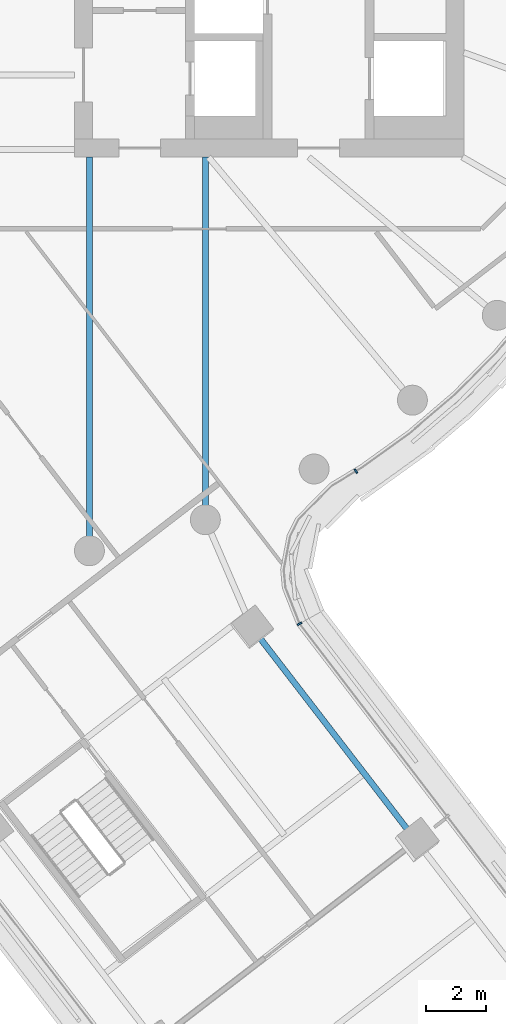
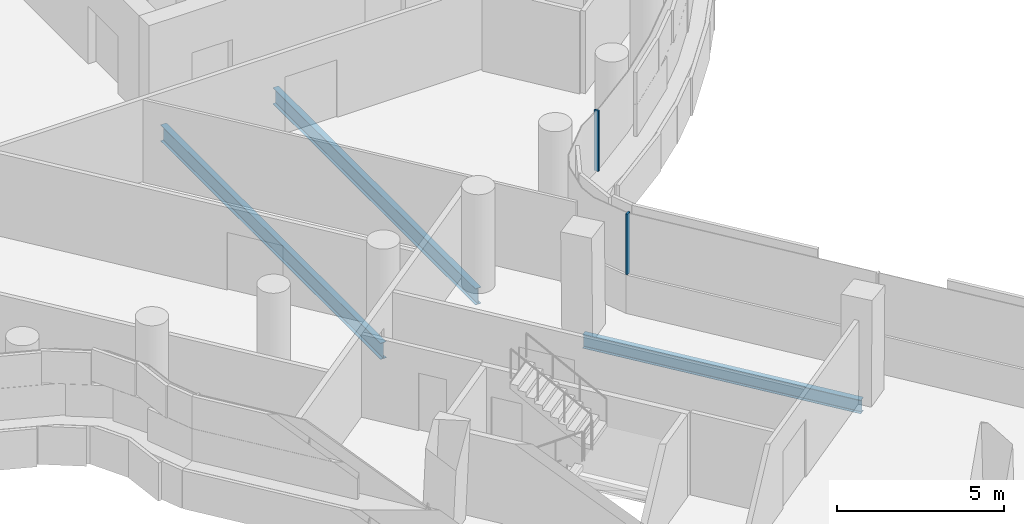
# One storey, part 7 of 33: 3 beams, 2 members, 1 element without a shape of its own.
"""IFC4 building model written with IfcOpenShell, lengths in metres."""

import ifcopenshell
import ifcopenshell.guid

model = None  # the IFC model being written
_history = None  # IfcOwnerHistory: only IFC2X3 demands one
_inside = {}  # id of a spatial element -> (the spatial element, [elements in it])
_under = {}  # id of a project, library or spatial element -> (it, [spatial elements below it])
_declared = {}  # id of a project -> (the project, [libraries it declares])
_typed = {}  # id of a type object -> (the type object, [elements of that type])
_made_of = {}  # id of a material, layer set ... -> (it, [elements and type objects made of it])


def new_model(schema):
    """Start an empty IFC model of exactly this schema.

    Asked for "IFC4X3", IfcOpenShell would pick the latest addendum, in which some entities
    have other attributes; the version numbers below select the first issue.
    IFC2X3 requires an IfcOwnerHistory on every rooted entity: one is made here for all.
    """
    global model, _history
    if schema == "IFC4X3":
        model = ifcopenshell.file(schema_version=(4, 3, 0, 0))
    else:
        model = ifcopenshell.file(schema=schema)
    _inside.clear()
    _under.clear()
    _declared.clear()
    _typed.clear()
    _made_of.clear()
    _history = None
    if model.schema == "IFC2X3":
        org = make("IfcOrganization", Name="unknown")
        user = make(
            "IfcPersonAndOrganization",
            ThePerson=make("IfcPerson", FamilyName="unknown"),
            TheOrganization=org,
        )
        app = make(
            "IfcApplication",
            ApplicationDeveloper=org,
            Version="unknown",
            ApplicationFullName="unknown",
            ApplicationIdentifier="unknown",
        )
        _history = make(
            "IfcOwnerHistory",
            OwningUser=user,
            OwningApplication=app,
            ChangeAction="ADDED",
            CreationDate=0,
        )
    return model


def make(cls, **values):
    """One entity of the class cls with the attributes given. An attribute that is None is left unset."""
    return model.create_entity(
        cls, **{name: value for name, value in values.items() if value is not None}
    )


def rooted(cls, **values):
    """An entity with a GlobalId (a new one), such as an element, a storey or a relation."""
    return make(cls, GlobalId=ifcopenshell.guid.new(), OwnerHistory=_history, **values)


def si_unit(unit_type, name, prefix=None):
    """IfcSIUnit, for example si_unit("LENGTHUNIT", "METRE", prefix="MILLI")."""
    return make("IfcSIUnit", UnitType=unit_type, Prefix=prefix, Name=name)


def assignment(units):
    """IfcUnitAssignment: the units of a project."""
    return None if units is None else make("IfcUnitAssignment", Units=units)


def point(xyz):
    """IfcCartesianPoint."""
    return None if xyz is None else make("IfcCartesianPoint", Coordinates=xyz)


def direction(xyz):
    """IfcDirection."""
    return None if xyz is None else make("IfcDirection", DirectionRatios=xyz)


def frame(location, z_axis=None, x_axis=None):
    """IfcAxis2Placement3D, a coordinate frame: its origin and axes. An axis left out is left unset."""
    return make(
        "IfcAxis2Placement3D",
        Location=point(location),
        Axis=direction(z_axis),
        RefDirection=direction(x_axis),
    )


def frame_2d(location, x_axis=None):
    """IfcAxis2Placement2D, a coordinate frame in the plane: its origin and x axis."""
    return make(
        "IfcAxis2Placement2D", Location=point(location), RefDirection=direction(x_axis)
    )


def origin():
    """The frame at (0, 0, 0) with its axes left unset."""
    return frame((0.0, 0.0, 0.0))


def origin_2d():
    """The frame at (0, 0) in the plane with its x axis left unset."""
    return frame_2d((0.0, 0.0))


def place(relative_to, where):
    """IfcLocalPlacement: puts the frame where relative to a parent placement (None: the world)."""
    return make(
        "IfcLocalPlacement", PlacementRelTo=relative_to, RelativePlacement=where
    )


def context(
    kind, dimensions, precision=None, world=None, true_north=None, identifier=None
):
    """IfcGeometricRepresentationContext, for example the 3D "Model" context."""
    return make(
        "IfcGeometricRepresentationContext",
        ContextIdentifier=identifier,
        ContextType=kind,
        CoordinateSpaceDimension=dimensions,
        Precision=precision,
        WorldCoordinateSystem=world,
        TrueNorth=true_north,
    )


def subcontext(parent, identifier, kind, view, scale=None):
    """IfcGeometricRepresentationSubContext, for example "Body" below "Model"."""
    return make(
        "IfcGeometricRepresentationSubContext",
        ContextIdentifier=identifier,
        ContextType=kind,
        ParentContext=parent,
        TargetScale=scale,
        TargetView=view,
    )


def project(units=None, contexts=None):
    """IfcProject with its units and contexts."""
    return rooted(
        "IfcProject",
        Name="project",
        RepresentationContexts=contexts,
        UnitsInContext=assignment(units),
    )


def spatial(cls, under=None, at=None, **own):
    """A site, building, storey or space (cls), placed at a placement, below another one or the project."""
    s = rooted(cls, ObjectPlacement=at, **own)
    if under is not None:
        _under.setdefault(under.id(), (under, []))[1].append(s)
    return s


def profile(cls, at=None, kind="AREA", **sizes):
    """A parametric profile (cls). Its sizes go by their IFC names, for example OverallWidth=200.0."""
    return make(cls, ProfileType=kind, Position=at, **sizes)


def rectangle(**sizes):
    """IfcRectangleProfileDef."""
    return profile("IfcRectangleProfileDef", **sizes)


def i_section(**sizes):
    """IfcIShapeProfileDef."""
    return profile("IfcIShapeProfileDef", **sizes)


def extrude(swept, where, along, depth):
    """IfcExtrudedAreaSolid: the profile swept, set in the frame where, extruded along a direction by depth."""
    return make(
        "IfcExtrudedAreaSolid",
        SweptArea=swept,
        Position=where,
        ExtrudedDirection=direction(along),
        Depth=depth,
    )


def shape(context_of_items, identifier, shape_type, items):
    """IfcShapeRepresentation: the items that make up one representation, for example the "Body"."""
    return make(
        "IfcShapeRepresentation",
        ContextOfItems=context_of_items,
        RepresentationIdentifier=identifier,
        RepresentationType=shape_type,
        Items=items,
    )


def material(Name=None, Category=None):
    """IfcMaterial."""
    return make("IfcMaterial", Name=Name, Category=Category)


def layer(
    of_material, thickness, ventilated=None, Name=None, Category=None, Priority=None
):
    """IfcMaterialLayer: one layer of a wall or slab, of a material (None: an air gap)."""
    return make(
        "IfcMaterialLayer",
        Material=of_material,
        LayerThickness=thickness,
        IsVentilated=ventilated,
        Name=Name,
        Category=Category,
        Priority=Priority,
    )


def layer_set(layers, Name=None):
    """IfcMaterialLayerSet."""
    return make("IfcMaterialLayerSet", MaterialLayers=layers, LayerSetName=Name)


def material_profile(
    of_material, cross_section, Name=None, Category=None, Priority=None
):
    """IfcMaterialProfile: a cross section and its material."""
    return make(
        "IfcMaterialProfile",
        Name=Name,
        Material=of_material,
        Profile=cross_section,
        Priority=Priority,
        Category=Category,
    )


def profile_set(profiles, Name=None, composite=None):
    """IfcMaterialProfileSet."""
    return make(
        "IfcMaterialProfileSet",
        Name=Name,
        MaterialProfiles=profiles,
        CompositeProfile=composite,
    )


def made_of(thing, what):
    """Note that an element or type object is made of a material, layer set ...; save() writes the relation."""
    if what is not None:
        _made_of.setdefault(what.id(), (what, []))[1].append(thing)
    return thing


def type_object(cls, material=None, **own):
    """A type object (cls), such as IfcWallType, which elements share."""
    return made_of(rooted(cls, **own), material)


def element(
    cls,
    number,
    at=None,
    inside=None,
    cuts=None,
    type_object=None,
    material=None,
    context=None,
    identifier="Body",
    shape_type=None,
    held_by="IfcProductDefinitionShape",
    body=None,
    shapes=None,
    **own,
):
    """One element of the class cls, such as IfcWall. Its Tag is "e" and its number.

    at: its placement. inside: the storey or other place that contains it. cuts: it is an
    opening in that element (IfcRelVoidsElement). A single representation is given by context,
    identifier, shape_type and body (its items); several are given by shapes. held_by: the class
    of the entity that holds the representations. save() writes the other relations.
    """
    e = rooted(cls, Tag="e%d" % number, ObjectPlacement=at, **own)
    if body is not None:
        shapes = [shape(context, identifier, shape_type, body)]
    if shapes is not None:
        e.Representation = make(held_by, Representations=shapes)
    if inside is not None:
        _inside.setdefault(inside.id(), (inside, []))[1].append(e)
    if cuts is not None:
        rooted(
            "IfcRelVoidsElement", RelatingBuildingElement=cuts, RelatedOpeningElement=e
        )
    if type_object is not None:
        _typed.setdefault(type_object.id(), (type_object, []))[1].append(e)
    return made_of(e, material)


def aggregate(whole, parts):
    """IfcRelAggregates: a whole, such as a stair, and the parts it consists of."""
    return rooted("IfcRelAggregates", RelatingObject=whole, RelatedObjects=parts)


def save(model, path):
    """Write the relations noted so far, then the file.

    IfcRelAggregates (storeys below a building ...), IfcRelContainedInSpatialStructure (elements
    in a storey), IfcRelDefinesByType, IfcRelAssociatesMaterial and IfcRelDeclares: one each for
    every whole, place, type object, material and project.
    """
    for whole, parts in _under.values():
        aggregate(whole, parts)
    for where, things in _inside.values():
        rooted(
            "IfcRelContainedInSpatialStructure",
            RelatedElements=things,
            RelatingStructure=where,
        )
    for kind, things in _typed.values():
        rooted("IfcRelDefinesByType", RelatedObjects=things, RelatingType=kind)
    for what, things in _made_of.values():
        rooted("IfcRelAssociatesMaterial", RelatedObjects=things, RelatingMaterial=what)
    for by, libraries in _declared.values():
        rooted("IfcRelDeclares", RelatingContext=by, RelatedDefinitions=libraries)
    model.write(path)


model = new_model("IFC4")

# Units and contexts
model_context = context("Model", 3, precision=1e-05, world=origin(), true_north=direction((0.0, 1.0)))
body_context = subcontext(model_context, "Body", "Model", "MODEL_VIEW")
ifc_project = project(units=[si_unit("LENGTHUNIT", "METRE"), si_unit("AREAUNIT", "SQUARE_METRE"), si_unit("VOLUMEUNIT", "CUBIC_METRE"), si_unit("PLANEANGLEUNIT", "RADIAN"), si_unit("MASSUNIT", "GRAM", prefix="KILO")], contexts=[model_context])

# Site, building, storey
site_placement = place(None, origin())
site = spatial("IfcSite", under=ifc_project, at=site_placement, CompositionType="ELEMENT")
building_placement = place(site_placement, origin())
building = spatial("IfcBuilding", under=site, at=building_placement, Name="Tamarind Cross Interchange Tower", CompositionType="ELEMENT")
storey_placement = place(building_placement, frame((0.0, 0.0, 170.5)))
storey = spatial("IfcBuildingStorey", under=building, at=storey_placement, Name="L42", CompositionType="ELEMENT", Elevation=170.5)

# Beams
ifc_material_1 = material(Name="Steel Q355B", Category="steel")
ifc_material_profile_1 = material_profile(ifc_material_1, i_section(OverallWidth=0.198974609375, OverallDepth=0.49609375, WebThickness=0.009033203125, FlangeThickness=0.013916015625, FilletRadius=0.012939453125, at=origin_2d()), Name="HN 496x199x9x14")
ifc_profile_set_1 = profile_set([ifc_material_profile_1], Name="Steel Q355B")
beam_type_1 = type_object("IfcBeamType", Name="Composite beam HN 496x199x9x14 Q355B", PredefinedType="BEAM", material=ifc_profile_set_1)
beam_1_placement = place(storey_placement, frame((14.91552734375, -32.347412109375, -0.387939453125), z_axis=(-0.610322794486, 0.792152817662, 0.0), x_axis=(-0.792152817662, -0.610322794486, 0.0)))
element("IfcBeam", 1, at=beam_1_placement, inside=storey, type_object=beam_type_1, Name="Beam S-edgeep3", PredefinedType="BEAM", context=body_context, shape_type="SweptSolid", body=[
    extrude(i_section(OverallWidth=0.198974609375, OverallDepth=0.49609375, WebThickness=0.009033203125, FlangeThickness=0.013916015625, FilletRadius=0.012939453125, at=origin_2d()), origin(), (0.0, 0.0, 1.0), 9.0),
])
ifc_material_profile_2 = material_profile(ifc_material_1, i_section(OverallWidth=0.198974609375, OverallDepth=0.595947265625, WebThickness=0.010009765625, FlangeThickness=0.014892578125, FilletRadius=0.012939453125, at=origin_2d()), Name="HN 596x199x10x15")
ifc_profile_set_2 = profile_set([ifc_material_profile_2], Name="Steel Q355B")
beam_type_2 = type_object("IfcBeamType", Name="Composite beam HN 596x199x10x15 Q355B", PredefinedType="BEAM", material=ifc_profile_set_2)
beam_2_placement = place(storey_placement, frame((3.993896484375, -22.650634765625, -0.43798828125), z_axis=(0.0, 1.0, 0.0), x_axis=(-1.0, 0.0, 0.0)))
element("IfcBeam", 2, at=beam_2_placement, inside=storey, type_object=beam_type_2, Name="Beam HH28", PredefinedType="BEAM", context=body_context, shape_type="SweptSolid", body=[
    extrude(i_section(OverallWidth=0.198974609375, OverallDepth=0.595947265625, WebThickness=0.010009765625, FlangeThickness=0.014892578125, FilletRadius=0.012939453125, at=origin_2d()), origin(), (0.0, 0.0, 1.0), 13.150634765625),
])
beam_3_placement = place(storey_placement, frame((7.866455078125, -21.613037109375, -0.43798828125), z_axis=(0.0, 1.0, 0.0), x_axis=(-1.0, 0.0, 0.0)))
element("IfcBeam", 3, at=beam_3_placement, inside=storey, type_object=beam_type_2, Name="Beam HH29", PredefinedType="BEAM", context=body_context, shape_type="SweptSolid", body=[
    extrude(i_section(OverallWidth=0.198974609375, OverallDepth=0.595947265625, WebThickness=0.010009765625, FlangeThickness=0.014892578125, FilletRadius=0.012939453125, at=origin_2d()), origin(), (0.0, 0.0, 1.0), 12.113037109375),
])

# Curtain wall, members
ifc_material_2 = material(Name="Aluminium 6063-T6", Category="aluminium")
ifc_layer = layer(ifc_material_2, 0.159912109375)
ifc_layer_set = layer_set([ifc_layer], Name="Aluminium 6063-T6")
curtain_wall_type = type_object("IfcCurtainWallType", Name="Office curtain wall, 9.0 m bays", PredefinedType="NOTDEFINED", material=ifc_layer_set)
curtain_wall_placement = place(storey_placement, origin())
curtain_wall = element("IfcCurtainWall", 4, at=curtain_wall_placement, inside=storey, type_object=curtain_wall_type, Name="CWS-L42-14", PredefinedType="NOTDEFINED")
ifc_material_profile_3 = material_profile(ifc_material_2, rectangle(XDim=0.06005859375, YDim=0.159912109375, at=origin_2d()), Name="Mullion CW1")
ifc_profile_set_3 = profile_set([ifc_material_profile_3], Name="Aluminium 6063-T6")
member_type = type_object("IfcMemberType", Name="Mullion CW1", PredefinedType="MULLION", material=ifc_profile_set_3)
member_1_placement = place(storey_placement, frame((11.0146484375, -25.090087890625, 1.39990234375), z_axis=(0.0, 0.0, 1.0), x_axis=(-0.491972136563, 0.870610944593, 0.0)))
member_1 = element("IfcMember", 5, at=member_1_placement, type_object=member_type, Name="CWM-L42-14-00", PredefinedType="MULLION", context=body_context, shape_type="SweptSolid", body=[
    extrude(rectangle(XDim=0.06005859375, YDim=0.159912109375, at=origin_2d()), origin(), (0.0, 0.0, 1.0), 2.210205078125),
])
member_2_placement = place(storey_placement, frame((12.89501953125, -19.989501953125, 1.39990234375), z_axis=(0.0, 0.0, 1.0), x_axis=(0.855319577909, 0.51810078136, 0.0)))
member_2 = element("IfcMember", 6, at=member_2_placement, type_object=member_type, Name="CWM-L42-14-01", PredefinedType="MULLION", context=body_context, shape_type="SweptSolid", body=[
    extrude(rectangle(XDim=0.06005859375, YDim=0.159912109375, at=origin_2d()), origin(), (0.0, 0.0, 1.0), 2.210205078125),
])
aggregate(curtain_wall, [member_1, member_2])

save(model, "model.ifc")
